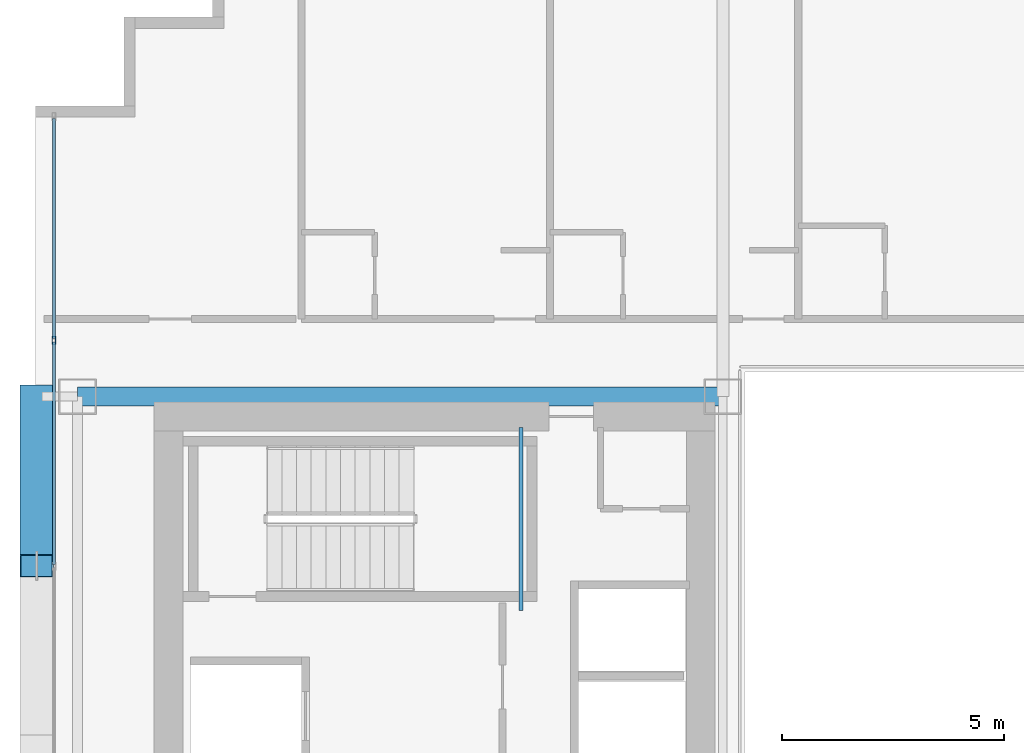
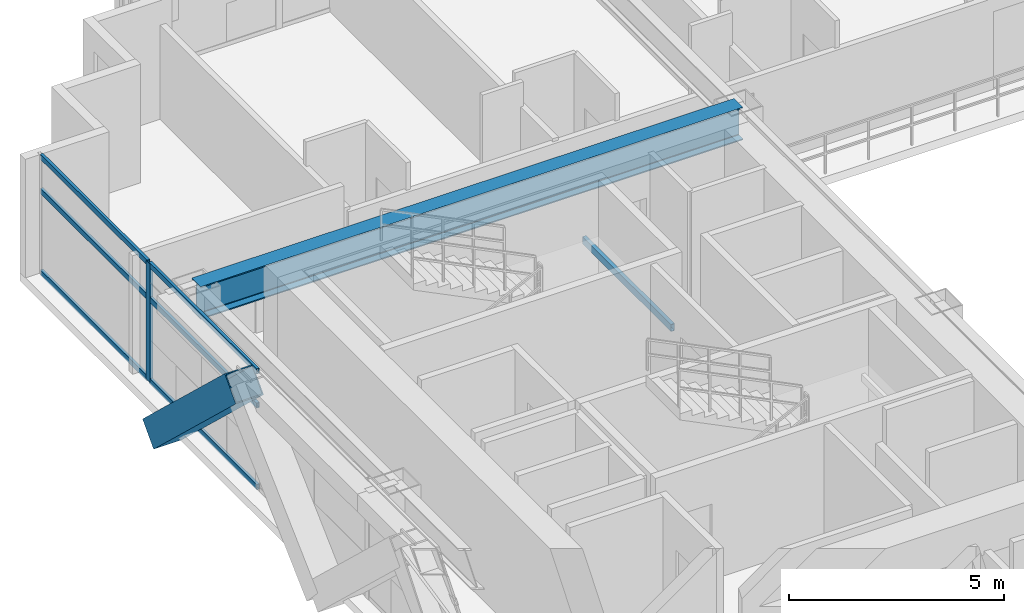
# One storey, part 16 of 35: 8 members, 2 beams, 1 element without a shape of its own.
"""IFC4 building model written with IfcOpenShell, lengths in metres."""

import ifcopenshell
import ifcopenshell.guid

model = None  # the IFC model being written
_history = None  # IfcOwnerHistory: only IFC2X3 demands one
_inside = {}  # id of a spatial element -> (the spatial element, [elements in it])
_under = {}  # id of a project, library or spatial element -> (it, [spatial elements below it])
_declared = {}  # id of a project -> (the project, [libraries it declares])
_typed = {}  # id of a type object -> (the type object, [elements of that type])
_made_of = {}  # id of a material, layer set ... -> (it, [elements and type objects made of it])


def new_model(schema):
    """Start an empty IFC model of exactly this schema.

    Asked for "IFC4X3", IfcOpenShell would pick the latest addendum, in which some entities
    have other attributes; the version numbers below select the first issue.
    IFC2X3 requires an IfcOwnerHistory on every rooted entity: one is made here for all.
    """
    global model, _history
    if schema == "IFC4X3":
        model = ifcopenshell.file(schema_version=(4, 3, 0, 0))
    else:
        model = ifcopenshell.file(schema=schema)
    _inside.clear()
    _under.clear()
    _declared.clear()
    _typed.clear()
    _made_of.clear()
    _history = None
    if model.schema == "IFC2X3":
        org = make("IfcOrganization", Name="unknown")
        user = make(
            "IfcPersonAndOrganization",
            ThePerson=make("IfcPerson", FamilyName="unknown"),
            TheOrganization=org,
        )
        app = make(
            "IfcApplication",
            ApplicationDeveloper=org,
            Version="unknown",
            ApplicationFullName="unknown",
            ApplicationIdentifier="unknown",
        )
        _history = make(
            "IfcOwnerHistory",
            OwningUser=user,
            OwningApplication=app,
            ChangeAction="ADDED",
            CreationDate=0,
        )
    return model


def make(cls, **values):
    """One entity of the class cls with the attributes given. An attribute that is None is left unset."""
    return model.create_entity(
        cls, **{name: value for name, value in values.items() if value is not None}
    )


def rooted(cls, **values):
    """An entity with a GlobalId (a new one), such as an element, a storey or a relation."""
    return make(cls, GlobalId=ifcopenshell.guid.new(), OwnerHistory=_history, **values)


def si_unit(unit_type, name, prefix=None):
    """IfcSIUnit, for example si_unit("LENGTHUNIT", "METRE", prefix="MILLI")."""
    return make("IfcSIUnit", UnitType=unit_type, Prefix=prefix, Name=name)


def assignment(units):
    """IfcUnitAssignment: the units of a project."""
    return None if units is None else make("IfcUnitAssignment", Units=units)


def point(xyz):
    """IfcCartesianPoint."""
    return None if xyz is None else make("IfcCartesianPoint", Coordinates=xyz)


def direction(xyz):
    """IfcDirection."""
    return None if xyz is None else make("IfcDirection", DirectionRatios=xyz)


def frame(location, z_axis=None, x_axis=None):
    """IfcAxis2Placement3D, a coordinate frame: its origin and axes. An axis left out is left unset."""
    return make(
        "IfcAxis2Placement3D",
        Location=point(location),
        Axis=direction(z_axis),
        RefDirection=direction(x_axis),
    )


def frame_2d(location, x_axis=None):
    """IfcAxis2Placement2D, a coordinate frame in the plane: its origin and x axis."""
    return make(
        "IfcAxis2Placement2D", Location=point(location), RefDirection=direction(x_axis)
    )


def origin():
    """The frame at (0, 0, 0) with its axes left unset."""
    return frame((0.0, 0.0, 0.0))


def origin_2d():
    """The frame at (0, 0) in the plane with its x axis left unset."""
    return frame_2d((0.0, 0.0))


def place(relative_to, where):
    """IfcLocalPlacement: puts the frame where relative to a parent placement (None: the world)."""
    return make(
        "IfcLocalPlacement", PlacementRelTo=relative_to, RelativePlacement=where
    )


def context(
    kind, dimensions, precision=None, world=None, true_north=None, identifier=None
):
    """IfcGeometricRepresentationContext, for example the 3D "Model" context."""
    return make(
        "IfcGeometricRepresentationContext",
        ContextIdentifier=identifier,
        ContextType=kind,
        CoordinateSpaceDimension=dimensions,
        Precision=precision,
        WorldCoordinateSystem=world,
        TrueNorth=true_north,
    )


def subcontext(parent, identifier, kind, view, scale=None):
    """IfcGeometricRepresentationSubContext, for example "Body" below "Model"."""
    return make(
        "IfcGeometricRepresentationSubContext",
        ContextIdentifier=identifier,
        ContextType=kind,
        ParentContext=parent,
        TargetScale=scale,
        TargetView=view,
    )


def project(units=None, contexts=None):
    """IfcProject with its units and contexts."""
    return rooted(
        "IfcProject",
        Name="project",
        RepresentationContexts=contexts,
        UnitsInContext=assignment(units),
    )


def spatial(cls, under=None, at=None, **own):
    """A site, building, storey or space (cls), placed at a placement, below another one or the project."""
    s = rooted(cls, ObjectPlacement=at, **own)
    if under is not None:
        _under.setdefault(under.id(), (under, []))[1].append(s)
    return s


def profile(cls, at=None, kind="AREA", **sizes):
    """A parametric profile (cls). Its sizes go by their IFC names, for example OverallWidth=200.0."""
    return make(cls, ProfileType=kind, Position=at, **sizes)


def hollow_rectangle(**sizes):
    """IfcRectangleHollowProfileDef."""
    return profile("IfcRectangleHollowProfileDef", **sizes)


def i_section(**sizes):
    """IfcIShapeProfileDef."""
    return profile("IfcIShapeProfileDef", **sizes)


def extrude(swept, where, along, depth):
    """IfcExtrudedAreaSolid: the profile swept, set in the frame where, extruded along a direction by depth."""
    return make(
        "IfcExtrudedAreaSolid",
        SweptArea=swept,
        Position=where,
        ExtrudedDirection=direction(along),
        Depth=depth,
    )


def shape(context_of_items, identifier, shape_type, items):
    """IfcShapeRepresentation: the items that make up one representation, for example the "Body"."""
    return make(
        "IfcShapeRepresentation",
        ContextOfItems=context_of_items,
        RepresentationIdentifier=identifier,
        RepresentationType=shape_type,
        Items=items,
    )


def source(mapping_origin, context_of_items, identifier, shape_type, items):
    """IfcRepresentationMap: a shape defined once, which mapped items show again and again."""
    return make(
        "IfcRepresentationMap",
        MappingOrigin=mapping_origin,
        MappedRepresentation=shape(context_of_items, identifier, shape_type, items),
    )


def transform(
    local_origin,
    x_axis=None,
    y_axis=None,
    z_axis=None,
    scale=None,
    scale2=None,
    scale3=None,
    uniform=True,
):
    """IfcCartesianTransformationOperator3D, or its non-uniform kind. x_axis, y_axis, z_axis: its Axis1, 2, 3."""
    if uniform:
        return make(
            "IfcCartesianTransformationOperator3D",
            Axis1=direction(x_axis),
            Axis2=direction(y_axis),
            LocalOrigin=point(local_origin),
            Scale=scale,
            Axis3=direction(z_axis),
        )
    return make(
        "IfcCartesianTransformationOperator3DnonUniform",
        Axis1=direction(x_axis),
        Axis2=direction(y_axis),
        LocalOrigin=point(local_origin),
        Scale=scale,
        Axis3=direction(z_axis),
        Scale2=scale2,
        Scale3=scale3,
    )


def mapped(mapping_source, mapping_target):
    """IfcMappedItem: shows the shape of a source again, moved by a transform."""
    return make(
        "IfcMappedItem", MappingSource=mapping_source, MappingTarget=mapping_target
    )


def material(Name=None, Category=None):
    """IfcMaterial."""
    return make("IfcMaterial", Name=Name, Category=Category)


def layer(
    of_material, thickness, ventilated=None, Name=None, Category=None, Priority=None
):
    """IfcMaterialLayer: one layer of a wall or slab, of a material (None: an air gap)."""
    return make(
        "IfcMaterialLayer",
        Material=of_material,
        LayerThickness=thickness,
        IsVentilated=ventilated,
        Name=Name,
        Category=Category,
        Priority=Priority,
    )


def layer_set(layers, Name=None):
    """IfcMaterialLayerSet."""
    return make("IfcMaterialLayerSet", MaterialLayers=layers, LayerSetName=Name)


def material_profile(
    of_material, cross_section, Name=None, Category=None, Priority=None
):
    """IfcMaterialProfile: a cross section and its material."""
    return make(
        "IfcMaterialProfile",
        Name=Name,
        Material=of_material,
        Profile=cross_section,
        Priority=Priority,
        Category=Category,
    )


def profile_set(profiles, Name=None, composite=None):
    """IfcMaterialProfileSet."""
    return make(
        "IfcMaterialProfileSet",
        Name=Name,
        MaterialProfiles=profiles,
        CompositeProfile=composite,
    )


def made_of(thing, what):
    """Note that an element or type object is made of a material, layer set ...; save() writes the relation."""
    if what is not None:
        _made_of.setdefault(what.id(), (what, []))[1].append(thing)
    return thing


def type_object(cls, material=None, **own):
    """A type object (cls), such as IfcWallType, which elements share."""
    return made_of(rooted(cls, **own), material)


def element(
    cls,
    number,
    at=None,
    inside=None,
    cuts=None,
    type_object=None,
    material=None,
    context=None,
    identifier="Body",
    shape_type=None,
    held_by="IfcProductDefinitionShape",
    body=None,
    shapes=None,
    **own,
):
    """One element of the class cls, such as IfcWall. Its Tag is "e" and its number.

    at: its placement. inside: the storey or other place that contains it. cuts: it is an
    opening in that element (IfcRelVoidsElement). A single representation is given by context,
    identifier, shape_type and body (its items); several are given by shapes. held_by: the class
    of the entity that holds the representations. save() writes the other relations.
    """
    e = rooted(cls, Tag="e%d" % number, ObjectPlacement=at, **own)
    if body is not None:
        shapes = [shape(context, identifier, shape_type, body)]
    if shapes is not None:
        e.Representation = make(held_by, Representations=shapes)
    if inside is not None:
        _inside.setdefault(inside.id(), (inside, []))[1].append(e)
    if cuts is not None:
        rooted(
            "IfcRelVoidsElement", RelatingBuildingElement=cuts, RelatedOpeningElement=e
        )
    if type_object is not None:
        _typed.setdefault(type_object.id(), (type_object, []))[1].append(e)
    return made_of(e, material)


def aggregate(whole, parts):
    """IfcRelAggregates: a whole, such as a stair, and the parts it consists of."""
    return rooted("IfcRelAggregates", RelatingObject=whole, RelatedObjects=parts)


def save(model, path):
    """Write the relations noted so far, then the file.

    IfcRelAggregates (storeys below a building ...), IfcRelContainedInSpatialStructure (elements
    in a storey), IfcRelDefinesByType, IfcRelAssociatesMaterial and IfcRelDeclares: one each for
    every whole, place, type object, material and project.
    """
    for whole, parts in _under.values():
        aggregate(whole, parts)
    for where, things in _inside.values():
        rooted(
            "IfcRelContainedInSpatialStructure",
            RelatedElements=things,
            RelatingStructure=where,
        )
    for kind, things in _typed.values():
        rooted("IfcRelDefinesByType", RelatedObjects=things, RelatingType=kind)
    for what, things in _made_of.values():
        rooted("IfcRelAssociatesMaterial", RelatedObjects=things, RelatingMaterial=what)
    for by, libraries in _declared.values():
        rooted("IfcRelDeclares", RelatingContext=by, RelatedDefinitions=libraries)
    model.write(path)


model = new_model("IFC4")

# Units and contexts
model_context = context("Model", 3, precision=1e-05, world=origin(), true_north=direction((0.0, 1.0)))
body_context = subcontext(model_context, "Body", "Model", "MODEL_VIEW")
ifc_project = project(units=[si_unit("LENGTHUNIT", "METRE"), si_unit("AREAUNIT", "SQUARE_METRE"), si_unit("VOLUMEUNIT", "CUBIC_METRE"), si_unit("PLANEANGLEUNIT", "RADIAN"), si_unit("MASSUNIT", "GRAM", prefix="KILO")], contexts=[model_context])

# Site, building, storey
site_placement = place(None, origin())
site = spatial("IfcSite", under=ifc_project, at=site_placement, CompositionType="ELEMENT")
building_placement = place(site_placement, origin())
building = spatial("IfcBuilding", under=site, at=building_placement, Name="Ocotamira Hotel", CompositionType="ELEMENT")
storey_placement = place(building_placement, frame((0.0, 0.0, 140.39990234375)))
storey = spatial("IfcBuildingStorey", under=building, at=storey_placement, Name="L35", CompositionType="ELEMENT", Elevation=140.39990234375)

# Beams
ifc_material_1 = material(Name="Steel ASTM A500 Grade C", Category="steel")
ifc_material_profile_1 = material_profile(ifc_material_1, hollow_rectangle(XDim=0.10009765625, YDim=0.199951171875, WallThickness=0.008056640625, at=origin_2d()), Name="HSS200X100X8")
ifc_profile_set_1 = profile_set([ifc_material_profile_1], Name="Steel ASTM A500 Grade C")
beam_type_1 = type_object("IfcBeamType", Name="BM-STLDG-HSS200", PredefinedType="BEAM", material=ifc_profile_set_1)
shared_shape_1 = source(origin(), body_context, "Body", "SweptSolid", [
    extrude(hollow_rectangle(XDim=0.10009765625, YDim=0.199951171875, WallThickness=0.008056640625, at=origin_2d()), origin(), (0.0, 0.0, 1.0), 4.1201171875),
])
beam_1_placement = place(storey_placement, frame((18.949951171875, 32.6298828125, 1.5), z_axis=(0.0, 1.0, 0.0), x_axis=(-1.0, 0.0, 0.0)))
element("IfcBeam", 1, at=beam_1_placement, inside=storey, type_object=beam_type_1, Name="L35 Stair ST-2 Landing Bearer 1", PredefinedType="BEAM", context=body_context, shape_type="MappedRepresentation", body=[
    mapped(shared_shape_1, transform((0.0, 0.0, 0.0), scale=1.0)),
])
ifc_material_2 = material(Name="Steel ASTM A992 Grade 50", Category="steel")
ifc_material_profile_2 = material_profile(ifc_material_2, i_section(OverallWidth=0.41796875, OverallDepth=0.927001953125, WebThickness=0.019287109375, FlangeThickness=0.031982421875, FilletRadius=0.02392578125, at=origin_2d()), Name="W36X231")
ifc_profile_set_2 = profile_set([ifc_material_profile_2], Name="Steel ASTM A992 Grade 50")
beam_type_2 = type_object("IfcBeamType", Name="BM-GIRD-W36X231", PredefinedType="BEAM", material=ifc_profile_set_2)
shared_shape_2 = source(origin(), body_context, "Body", "SweptSolid", [
    extrude(i_section(OverallWidth=0.41796875, OverallDepth=0.927001953125, WebThickness=0.019287109375, FlangeThickness=0.031982421875, FilletRadius=0.02392578125, at=origin_2d()), origin(), (0.0, 0.0, 1.0), 14.550048828125),
])
beam_2_placement = place(storey_placement, frame((8.949951171875, 37.449951171875, 2.896484375), z_axis=(1.0, 0.0, 0.0), x_axis=(0.0, 1.0, 0.0)))
element("IfcBeam", 2, at=beam_2_placement, inside=storey, type_object=beam_type_2, Name="L35 Girder Y37.45 X8.95-23.5", PredefinedType="BEAM", context=body_context, shape_type="MappedRepresentation", body=[
    mapped(shared_shape_2, transform((0.0, 0.0, 0.0), scale=1.0)),
])

# Member
ifc_material_3 = material(Name="Pale-metal coated steel ASTM A913 Grade 65", Category="steel")
ifc_material_profile_3 = material_profile(ifc_material_3, hollow_rectangle(XDim=0.75, YDim=0.75, WallThickness=0.028076171875, at=origin_2d()), Name="BOX750X750X28")
ifc_profile_set_3 = profile_set([ifc_material_profile_3], Name="Pale-metal coated steel ASTM A913 Grade 65")
member_type_1 = type_object("IfcMemberType", Name="MEM-EXO-BOX750", PredefinedType="BRACE", material=ifc_profile_set_3)
shared_shape_3 = source(origin(), body_context, "Body", "SweptSolid", [
    extrude(hollow_rectangle(XDim=0.75, YDim=0.75, WallThickness=0.028076171875, at=origin_2d()), origin(), (0.0, 0.0, 1.0), 5.24658203125),
])
member_1_placement = place(storey_placement, frame((8.030029296875, 37.449951171875, -0.489990234375), z_axis=(0.0, -0.727442733726, 0.686168397078), x_axis=(1.0, 0.0, 0.0)))
element("IfcMember", 3, at=member_1_placement, inside=storey, type_object=member_type_1, Name="L35 Exoskeleton Diagrid W2.2", PredefinedType="BRACE", context=body_context, shape_type="MappedRepresentation", body=[
    mapped(shared_shape_3, transform((0.0, 0.0, 0.0), scale=1.0)),
])

# Curtain wall, members
ifc_material_4 = material(Name="Anodised pale-metal aluminium and solar glass", Category="aluminium")
ifc_layer = layer(ifc_material_4, 0.179931640625)
ifc_layer_set = layer_set([ifc_layer], Name="Anodised pale-metal aluminium and solar glass")
curtain_wall_type = type_object("IfcCurtainWallType", Name="CW-SYS3-Z2", PredefinedType="NOTDEFINED", material=ifc_layer_set)
curtain_wall_placement = place(storey_placement, origin())
curtain_wall = element("IfcCurtainWall", 4, at=curtain_wall_placement, inside=storey, type_object=curtain_wall_type, Name="L35 Curtain Wall CW-3 CW-L35-W", PredefinedType="NOTDEFINED")
ifc_material_5 = material(Name="Anodised pale-metal aluminium 6063-T6", Category="aluminium")
ifc_material_profile_4 = material_profile(ifc_material_5, hollow_rectangle(XDim=0.074951171875, YDim=0.14990234375, WallThickness=0.006103515625, at=origin_2d()), Name="HSS150X75X6")
ifc_profile_set_4 = profile_set([ifc_material_profile_4], Name="Anodised pale-metal aluminium 6063-T6")
member_type_2 = type_object("IfcMemberType", Name="CWT-150X75", PredefinedType="USERDEFINED", material=ifc_profile_set_4)
shared_shape_4 = source(origin(), body_context, "Body", "SweptSolid", [
    extrude(hollow_rectangle(XDim=0.074951171875, YDim=0.14990234375, WallThickness=0.006103515625, at=origin_2d()), origin(), (0.0, 0.0, 1.0), 4.965576171875),
])
member_2_placement = place(storey_placement, frame((8.419921875, 38.75439453125, 0.03759765625), z_axis=(0.0, 1.0, 0.0), x_axis=(-1.0, 0.0, 0.0)))
member_2 = element("IfcMember", 5, at=member_2_placement, type_object=member_type_2, Name="CW-3 transom 7.1", ObjectType="TRANSOM", PredefinedType="USERDEFINED", context=body_context, shape_type="MappedRepresentation", body=[
    mapped(shared_shape_4, transform((0.0, 0.0, 0.0), scale=1.0)),
])
member_3_placement = place(storey_placement, frame((8.419921875, 38.75439453125, 2.35009765625), z_axis=(0.0, 1.0, 0.0), x_axis=(-1.0, 0.0, 0.0)))
member_3 = element("IfcMember", 6, at=member_3_placement, type_object=member_type_2, Name="CW-3 transom 7.2", ObjectType="TRANSOM", PredefinedType="USERDEFINED", context=body_context, shape_type="MappedRepresentation", body=[
    mapped(shared_shape_4, transform((0.0, 0.0, 0.0), scale=1.0)),
])
member_4_placement = place(storey_placement, frame((8.419921875, 38.75439453125, 3.322509765625), z_axis=(0.0, 1.0, 0.0), x_axis=(-1.0, 0.0, 0.0)))
member_4 = element("IfcMember", 7, at=member_4_placement, type_object=member_type_2, Name="CW-3 transom 7.3", ObjectType="TRANSOM", PredefinedType="USERDEFINED", context=body_context, shape_type="MappedRepresentation", body=[
    mapped(shared_shape_4, transform((0.0, 0.0, 0.0), scale=1.0)),
])
shared_shape_5 = source(origin(), body_context, "Body", "SweptSolid", [
    extrude(hollow_rectangle(XDim=0.074951171875, YDim=0.14990234375, WallThickness=0.006103515625, at=origin_2d()), origin(), (0.0, 0.0, 1.0), 5.005859375),
])
member_5_placement = place(storey_placement, frame((8.419921875, 33.66845703125, 0.03759765625), z_axis=(0.0, 1.0, 0.0), x_axis=(-1.0, 0.0, 0.0)))
member_5 = element("IfcMember", 8, at=member_5_placement, type_object=member_type_2, Name="CW-3 transom 6.1", ObjectType="TRANSOM", PredefinedType="USERDEFINED", context=body_context, shape_type="MappedRepresentation", body=[
    mapped(shared_shape_5, transform((0.0, 0.0, 0.0), scale=1.0)),
])
member_6_placement = place(storey_placement, frame((8.419921875, 33.66845703125, 2.35009765625), z_axis=(0.0, 1.0, 0.0), x_axis=(-1.0, 0.0, 0.0)))
member_6 = element("IfcMember", 9, at=member_6_placement, type_object=member_type_2, Name="CW-3 transom 6.2", ObjectType="TRANSOM", PredefinedType="USERDEFINED", context=body_context, shape_type="MappedRepresentation", body=[
    mapped(shared_shape_5, transform((0.0, 0.0, 0.0), scale=1.0)),
])
member_7_placement = place(storey_placement, frame((8.419921875, 33.66845703125, 3.322509765625), z_axis=(0.0, 1.0, 0.0), x_axis=(-1.0, 0.0, 0.0)))
member_7 = element("IfcMember", 10, at=member_7_placement, type_object=member_type_2, Name="CW-3 transom 6.3", ObjectType="TRANSOM", PredefinedType="USERDEFINED", context=body_context, shape_type="MappedRepresentation", body=[
    mapped(shared_shape_5, transform((0.0, 0.0, 0.0), scale=1.0)),
])
ifc_material_profile_5 = material_profile(ifc_material_5, hollow_rectangle(XDim=0.080078125, YDim=0.179931640625, WallThickness=0.006103515625, at=origin_2d()), Name="HSS180X80X6")
ifc_profile_set_5 = profile_set([ifc_material_profile_5], Name="Anodised pale-metal aluminium 6063-T6")
member_type_3 = type_object("IfcMemberType", Name="CWM-180X75", PredefinedType="MULLION", material=ifc_profile_set_5)
shared_shape_6 = source(origin(), body_context, "Body", "SweptSolid", [
    extrude(hollow_rectangle(XDim=0.080078125, YDim=0.179931640625, WallThickness=0.006103515625, at=origin_2d()), origin(), (0.0, 0.0, 1.0), 3.360107421875),
])
member_8_placement = place(storey_placement, frame((8.419921875, 38.71435546875, 0.0), z_axis=(0.0, 0.0, 1.0), x_axis=(-1.0, 0.0, 0.0)))
member_8 = element("IfcMember", 11, at=member_8_placement, type_object=member_type_3, Name="CW-3 mullion 7", PredefinedType="MULLION", context=body_context, shape_type="MappedRepresentation", body=[
    mapped(shared_shape_6, transform((0.0, 0.0, 0.0), scale=1.0)),
])
aggregate(curtain_wall, [member_8, member_5, member_6, member_7, member_2, member_3, member_4])

save(model, "model.ifc")
